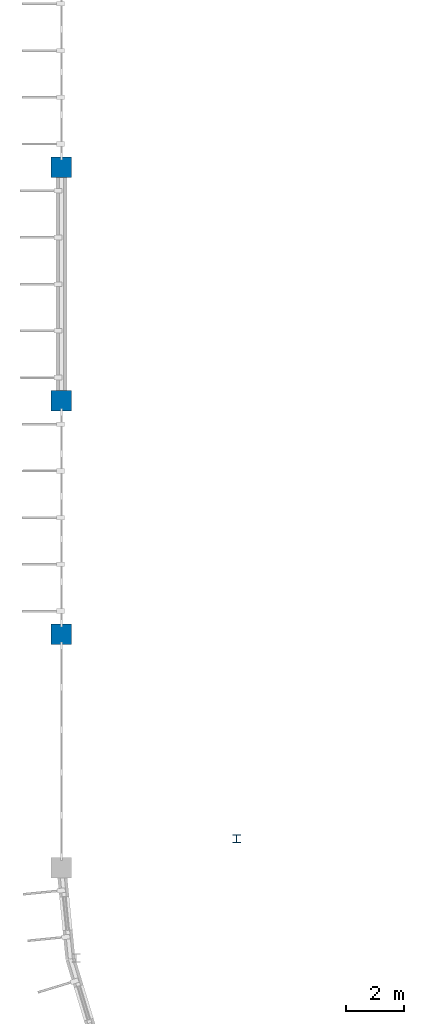
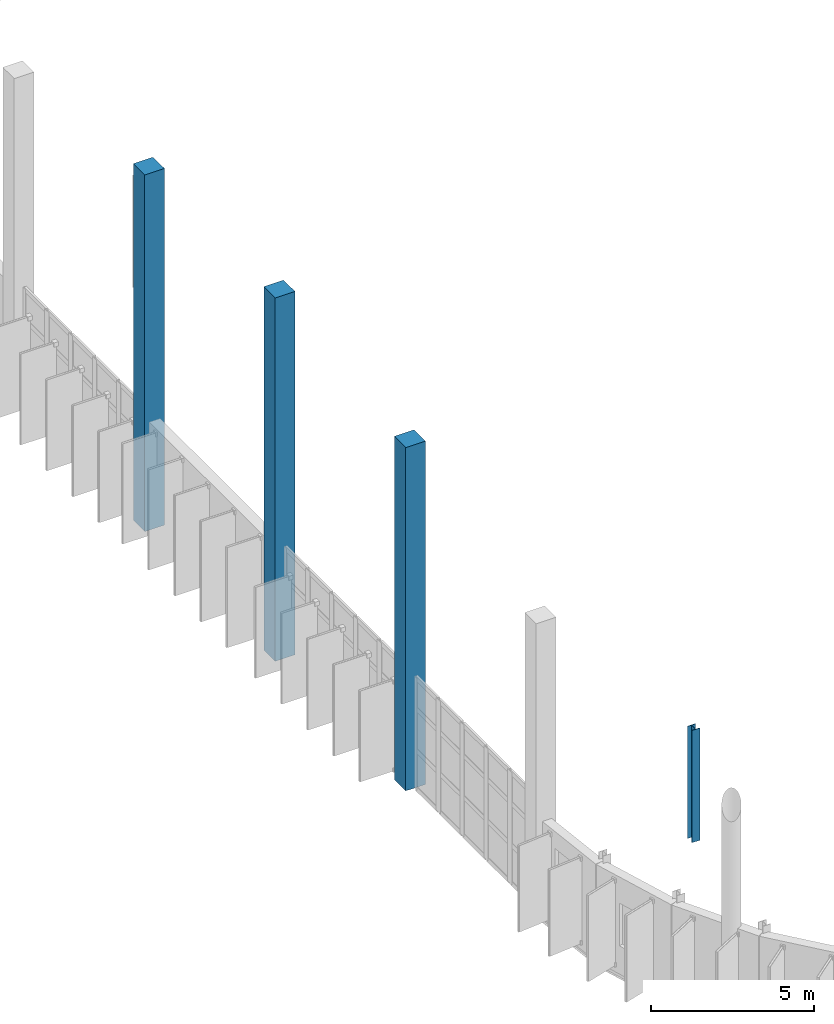
# One storey, part 3 of 66: 4 columns.
"""IFC4 building model written with IfcOpenShell, lengths in metres."""

from ifc_helpers import new_model, si_unit, direction, frame, origin, origin_2d, place, context, subcontext, project, spatial, rectangle, i_section, extrude, material, material_profile, profile_set, type_object, element, save


model = new_model("IFC4")

# Units and contexts
model_context = context("Model", 3, precision=1e-05, world=origin(), true_north=direction((0.0, 1.0)))
body_context = subcontext(model_context, "Body", "Model", "MODEL_VIEW")
ifc_project = project(units=[si_unit("LENGTHUNIT", "METRE"), si_unit("AREAUNIT", "SQUARE_METRE"), si_unit("VOLUMEUNIT", "CUBIC_METRE"), si_unit("PLANEANGLEUNIT", "RADIAN"), si_unit("MASSUNIT", "GRAM", prefix="KILO")], contexts=[model_context])

# Site, building, storey
site_placement = place(None, origin())
site = spatial("IfcSite", under=ifc_project, at=site_placement, CompositionType="ELEMENT")
building_placement = place(site_placement, origin())
building = spatial("IfcBuilding", under=site, at=building_placement, Name="Drelvana Railside Aquatics Centre", CompositionType="ELEMENT")
storey_placement = place(building_placement, frame((0.0, 0.0, 10.199951171875)))
storey = spatial("IfcBuildingStorey", under=building, at=storey_placement, Name="L02", CompositionType="ELEMENT", Elevation=10.199951171875)

# Columns
ifc_material_1 = material(Name="Concrete C40/50", Category="concrete")
ifc_material_profile_1 = material_profile(ifc_material_1, rectangle(XDim=0.699951171875, YDim=0.699951171875, at=origin_2d()), Name="RC 700x700")
ifc_profile_set_1 = profile_set([ifc_material_profile_1], Name="Concrete C40/50")
column_type_1 = type_object("IfcColumnType", Name="STR-COL-RC-700x700", PredefinedType="COLUMN", material=ifc_profile_set_1)
column_1_placement = place(storey_placement, frame((0.0, 40.0, 0.0), z_axis=(0.0, 0.0, 1.0), x_axis=(1.0, 0.0, 0.0)))
element("IfcColumn", 1, at=column_1_placement, inside=storey, type_object=column_type_1, Name="Column C-06 (L02)", PredefinedType="COLUMN", context=body_context, shape_type="SweptSolid", body=[
    extrude(rectangle(XDim=0.699951171875, YDim=0.699951171875, at=origin_2d()), origin(), (0.0, 0.0, 1.0), 12.846435546875),
])
column_2_placement = place(storey_placement, frame((0.0, 48.0, 0.0), z_axis=(0.0, 0.0, 1.0), x_axis=(1.0, 0.0, 0.0)))
element("IfcColumn", 2, at=column_2_placement, inside=storey, type_object=column_type_1, Name="Column C-06 (L02)", PredefinedType="COLUMN", context=body_context, shape_type="SweptSolid", body=[
    extrude(rectangle(XDim=0.699951171875, YDim=0.699951171875, at=origin_2d()), origin(), (0.0, 0.0, 1.0), 13.593994140625),
])
column_3_placement = place(storey_placement, frame((0.0, 56.0, 0.0), z_axis=(0.0, 0.0, 1.0), x_axis=(1.0, 0.0, 0.0)))
element("IfcColumn", 3, at=column_3_placement, inside=storey, type_object=column_type_1, Name="Column C-06 (L02)", PredefinedType="COLUMN", context=body_context, shape_type="SweptSolid", body=[
    extrude(rectangle(XDim=0.699951171875, YDim=0.699951171875, at=origin_2d()), origin(), (0.0, 0.0, 1.0), 13.3447265625),
])
ifc_material_2 = material(Name="Structural steel S355", Category="steel")
ifc_material_profile_2 = material_profile(ifc_material_2, i_section(OverallWidth=0.280029296875, OverallDepth=0.280029296875, WebThickness=0.010498046875, FlangeThickness=0.01806640625, at=origin_2d()), Name="HEB 280")
ifc_profile_set_2 = profile_set([ifc_material_profile_2], Name="Structural steel S355")
column_type_2 = type_object("IfcColumnType", Name="STR-SCOL-HEB-280", PredefinedType="COLUMN", material=ifc_profile_set_2)
column_4_placement = place(storey_placement, frame((6.0, 33.0, 0.0), z_axis=(0.0, 0.0, 1.0), x_axis=(1.0, 0.0, 0.0)))
element("IfcColumn", 4, at=column_4_placement, inside=storey, type_object=column_type_2, Name="Gridshell west end rafter column Y33 (L02)", PredefinedType="COLUMN", context=body_context, shape_type="SweptSolid", body=[
    extrude(i_section(OverallWidth=0.280029296875, OverallDepth=0.280029296875, WebThickness=0.010498046875, FlangeThickness=0.01806640625, at=origin_2d()), origin(), (0.0, 0.0, 1.0), 4.199951171875),
])

save(model, "model.ifc")
